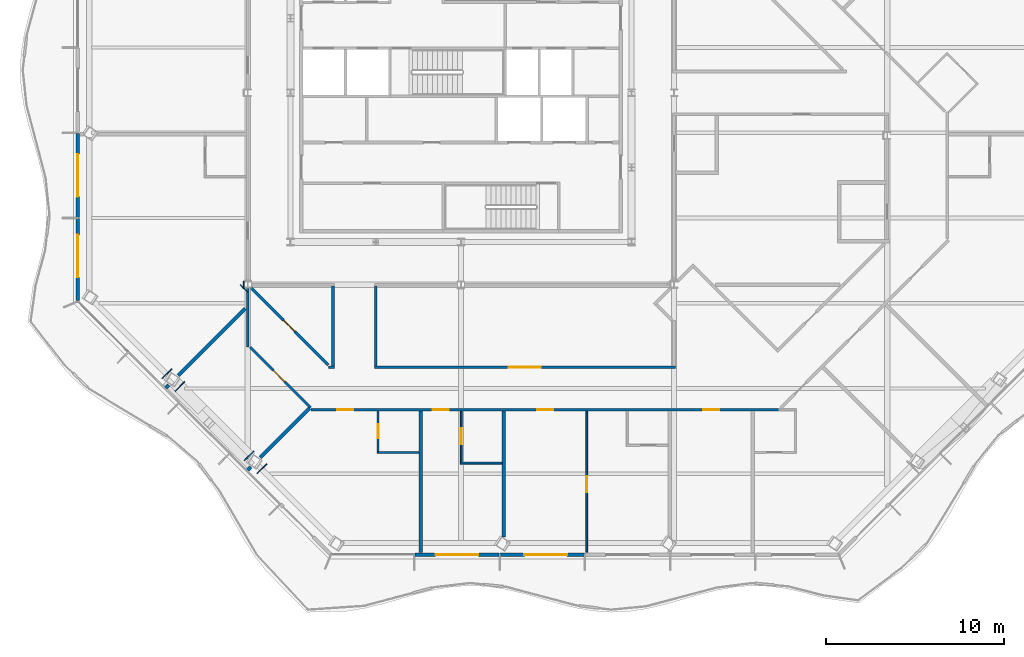
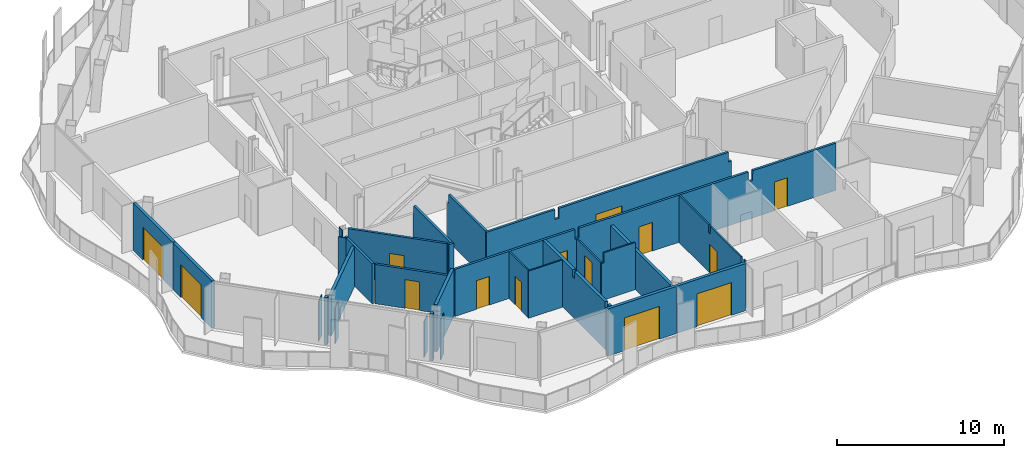
# One storey, part 7 of 19: 29 walls, 14 doors, 14 openings.
"""IFC4 building model written with IfcOpenShell, lengths in metres."""

import ifcopenshell
import ifcopenshell.guid

model = None  # the IFC model being written
_history = None  # IfcOwnerHistory: only IFC2X3 demands one
_inside = {}  # id of a spatial element -> (the spatial element, [elements in it])
_under = {}  # id of a project, library or spatial element -> (it, [spatial elements below it])
_declared = {}  # id of a project -> (the project, [libraries it declares])
_typed = {}  # id of a type object -> (the type object, [elements of that type])
_made_of = {}  # id of a material, layer set ... -> (it, [elements and type objects made of it])


def new_model(schema):
    """Start an empty IFC model of exactly this schema.

    Asked for "IFC4X3", IfcOpenShell would pick the latest addendum, in which some entities
    have other attributes; the version numbers below select the first issue.
    IFC2X3 requires an IfcOwnerHistory on every rooted entity: one is made here for all.
    """
    global model, _history
    if schema == "IFC4X3":
        model = ifcopenshell.file(schema_version=(4, 3, 0, 0))
    else:
        model = ifcopenshell.file(schema=schema)
    _inside.clear()
    _under.clear()
    _declared.clear()
    _typed.clear()
    _made_of.clear()
    _history = None
    if model.schema == "IFC2X3":
        org = make("IfcOrganization", Name="unknown")
        user = make(
            "IfcPersonAndOrganization",
            ThePerson=make("IfcPerson", FamilyName="unknown"),
            TheOrganization=org,
        )
        app = make(
            "IfcApplication",
            ApplicationDeveloper=org,
            Version="unknown",
            ApplicationFullName="unknown",
            ApplicationIdentifier="unknown",
        )
        _history = make(
            "IfcOwnerHistory",
            OwningUser=user,
            OwningApplication=app,
            ChangeAction="ADDED",
            CreationDate=0,
        )
    return model


def make(cls, **values):
    """One entity of the class cls with the attributes given. An attribute that is None is left unset."""
    return model.create_entity(
        cls, **{name: value for name, value in values.items() if value is not None}
    )


def rooted(cls, **values):
    """An entity with a GlobalId (a new one), such as an element, a storey or a relation."""
    return make(cls, GlobalId=ifcopenshell.guid.new(), OwnerHistory=_history, **values)


def si_unit(unit_type, name, prefix=None):
    """IfcSIUnit, for example si_unit("LENGTHUNIT", "METRE", prefix="MILLI")."""
    return make("IfcSIUnit", UnitType=unit_type, Prefix=prefix, Name=name)


def assignment(units):
    """IfcUnitAssignment: the units of a project."""
    return None if units is None else make("IfcUnitAssignment", Units=units)


def point(xyz):
    """IfcCartesianPoint."""
    return None if xyz is None else make("IfcCartesianPoint", Coordinates=xyz)


def direction(xyz):
    """IfcDirection."""
    return None if xyz is None else make("IfcDirection", DirectionRatios=xyz)


def frame(location, z_axis=None, x_axis=None):
    """IfcAxis2Placement3D, a coordinate frame: its origin and axes. An axis left out is left unset."""
    return make(
        "IfcAxis2Placement3D",
        Location=point(location),
        Axis=direction(z_axis),
        RefDirection=direction(x_axis),
    )


def frame_2d(location, x_axis=None):
    """IfcAxis2Placement2D, a coordinate frame in the plane: its origin and x axis."""
    return make(
        "IfcAxis2Placement2D", Location=point(location), RefDirection=direction(x_axis)
    )


def origin():
    """The frame at (0, 0, 0) with its axes left unset."""
    return frame((0.0, 0.0, 0.0))


def place(relative_to, where):
    """IfcLocalPlacement: puts the frame where relative to a parent placement (None: the world)."""
    return make(
        "IfcLocalPlacement", PlacementRelTo=relative_to, RelativePlacement=where
    )


def context(
    kind, dimensions, precision=None, world=None, true_north=None, identifier=None
):
    """IfcGeometricRepresentationContext, for example the 3D "Model" context."""
    return make(
        "IfcGeometricRepresentationContext",
        ContextIdentifier=identifier,
        ContextType=kind,
        CoordinateSpaceDimension=dimensions,
        Precision=precision,
        WorldCoordinateSystem=world,
        TrueNorth=true_north,
    )


def subcontext(parent, identifier, kind, view, scale=None):
    """IfcGeometricRepresentationSubContext, for example "Body" below "Model"."""
    return make(
        "IfcGeometricRepresentationSubContext",
        ContextIdentifier=identifier,
        ContextType=kind,
        ParentContext=parent,
        TargetScale=scale,
        TargetView=view,
    )


def project(units=None, contexts=None):
    """IfcProject with its units and contexts."""
    return rooted(
        "IfcProject",
        Name="project",
        RepresentationContexts=contexts,
        UnitsInContext=assignment(units),
    )


def spatial(cls, under=None, at=None, **own):
    """A site, building, storey or space (cls), placed at a placement, below another one or the project."""
    s = rooted(cls, ObjectPlacement=at, **own)
    if under is not None:
        _under.setdefault(under.id(), (under, []))[1].append(s)
    return s


def polyline(points):
    """IfcPolyline through the points."""
    return make("IfcPolyline", Points=[point(p) for p in points])


def profile(cls, at=None, kind="AREA", **sizes):
    """A parametric profile (cls). Its sizes go by their IFC names, for example OverallWidth=200.0."""
    return make(cls, ProfileType=kind, Position=at, **sizes)


def rectangle(**sizes):
    """IfcRectangleProfileDef."""
    return profile("IfcRectangleProfileDef", **sizes)


def outline(outer, holes=None, kind="AREA"):
    """IfcArbitraryClosedProfileDef: a profile drawn as a closed curve; with holes, ...WithVoids."""
    if holes is None:
        return make("IfcArbitraryClosedProfileDef", ProfileType=kind, OuterCurve=outer)
    return make(
        "IfcArbitraryProfileDefWithVoids",
        ProfileType=kind,
        OuterCurve=outer,
        InnerCurves=holes,
    )


def extrude(swept, where, along, depth):
    """IfcExtrudedAreaSolid: the profile swept, set in the frame where, extruded along a direction by depth."""
    return make(
        "IfcExtrudedAreaSolid",
        SweptArea=swept,
        Position=where,
        ExtrudedDirection=direction(along),
        Depth=depth,
    )


def shape(context_of_items, identifier, shape_type, items):
    """IfcShapeRepresentation: the items that make up one representation, for example the "Body"."""
    return make(
        "IfcShapeRepresentation",
        ContextOfItems=context_of_items,
        RepresentationIdentifier=identifier,
        RepresentationType=shape_type,
        Items=items,
    )


def material(Name=None, Category=None):
    """IfcMaterial."""
    return make("IfcMaterial", Name=Name, Category=Category)


def layer(
    of_material, thickness, ventilated=None, Name=None, Category=None, Priority=None
):
    """IfcMaterialLayer: one layer of a wall or slab, of a material (None: an air gap)."""
    return make(
        "IfcMaterialLayer",
        Material=of_material,
        LayerThickness=thickness,
        IsVentilated=ventilated,
        Name=Name,
        Category=Category,
        Priority=Priority,
    )


def layer_set(layers, Name=None):
    """IfcMaterialLayerSet."""
    return make("IfcMaterialLayerSet", MaterialLayers=layers, LayerSetName=Name)


def made_of(thing, what):
    """Note that an element or type object is made of a material, layer set ...; save() writes the relation."""
    if what is not None:
        _made_of.setdefault(what.id(), (what, []))[1].append(thing)
    return thing


def type_object(cls, material=None, **own):
    """A type object (cls), such as IfcWallType, which elements share."""
    return made_of(rooted(cls, **own), material)


def element(
    cls,
    number,
    at=None,
    inside=None,
    cuts=None,
    type_object=None,
    material=None,
    context=None,
    identifier="Body",
    shape_type=None,
    held_by="IfcProductDefinitionShape",
    body=None,
    shapes=None,
    **own,
):
    """One element of the class cls, such as IfcWall. Its Tag is "e" and its number.

    at: its placement. inside: the storey or other place that contains it. cuts: it is an
    opening in that element (IfcRelVoidsElement). A single representation is given by context,
    identifier, shape_type and body (its items); several are given by shapes. held_by: the class
    of the entity that holds the representations. save() writes the other relations.
    """
    e = rooted(cls, Tag="e%d" % number, ObjectPlacement=at, **own)
    if body is not None:
        shapes = [shape(context, identifier, shape_type, body)]
    if shapes is not None:
        e.Representation = make(held_by, Representations=shapes)
    if inside is not None:
        _inside.setdefault(inside.id(), (inside, []))[1].append(e)
    if cuts is not None:
        rooted(
            "IfcRelVoidsElement", RelatingBuildingElement=cuts, RelatedOpeningElement=e
        )
    if type_object is not None:
        _typed.setdefault(type_object.id(), (type_object, []))[1].append(e)
    return made_of(e, material)


def fill(opening, filler):
    """IfcRelFillsElement: the door or window that sits in an opening."""
    return rooted(
        "IfcRelFillsElement",
        RelatingOpeningElement=opening,
        RelatedBuildingElement=filler,
    )


def aggregate(whole, parts):
    """IfcRelAggregates: a whole, such as a stair, and the parts it consists of."""
    return rooted("IfcRelAggregates", RelatingObject=whole, RelatedObjects=parts)


def save(model, path):
    """Write the relations noted so far, then the file.

    IfcRelAggregates (storeys below a building ...), IfcRelContainedInSpatialStructure (elements
    in a storey), IfcRelDefinesByType, IfcRelAssociatesMaterial and IfcRelDeclares: one each for
    every whole, place, type object, material and project.
    """
    for whole, parts in _under.values():
        aggregate(whole, parts)
    for where, things in _inside.values():
        rooted(
            "IfcRelContainedInSpatialStructure",
            RelatedElements=things,
            RelatingStructure=where,
        )
    for kind, things in _typed.values():
        rooted("IfcRelDefinesByType", RelatedObjects=things, RelatingType=kind)
    for what, things in _made_of.values():
        rooted("IfcRelAssociatesMaterial", RelatedObjects=things, RelatingMaterial=what)
    for by, libraries in _declared.values():
        rooted("IfcRelDeclares", RelatingContext=by, RelatedDefinitions=libraries)
    model.write(path)


model = new_model("IFC4")

# Units and contexts
model_context = context("Model", 3, precision=1e-05, world=origin(), true_north=direction((0.0, 1.0)))
body_context = subcontext(model_context, "Body", "Model", "MODEL_VIEW")
ifc_project = project(units=[si_unit("LENGTHUNIT", "METRE"), si_unit("AREAUNIT", "SQUARE_METRE"), si_unit("VOLUMEUNIT", "CUBIC_METRE"), si_unit("PLANEANGLEUNIT", "RADIAN"), si_unit("MASSUNIT", "GRAM", prefix="KILO")], contexts=[model_context])

# Site, building, storey
site_placement = place(None, origin())
site = spatial("IfcSite", under=ifc_project, at=site_placement, CompositionType="ELEMENT")
building_placement = place(site_placement, origin())
building = spatial("IfcBuilding", under=site, at=building_placement, Name="Cairn Pilgrim Tower", CompositionType="ELEMENT")
storey_placement = place(building_placement, frame((0.0, 0.0, 197.39990234375)))
storey = spatial("IfcBuildingStorey", under=building, at=storey_placement, Name="L50", CompositionType="ELEMENT", Elevation=197.39990234375)

# Wall, opening, door
ifc_material_1 = material(Name="Bronze anodised aluminium insulated sandwich panel with mineral wool fill", Category="aluminium")
ifc_layer_1 = layer(ifc_material_1, 0.199951171875)
ifc_layer_set_1 = layer_set([ifc_layer_1], Name="BRONZE INFILL FRAME WALL 200")
wall_type_1 = type_object("IfcWallType", Name="BRONZE INFILL FRAME WALL 200", PredefinedType="NOTDEFINED", material=ifc_layer_set_1)
wall_1_placement = place(storey_placement, frame((4.60498046875, -23.60009765625, 0.0), z_axis=(0.0, 0.0, 1.0), x_axis=(1.0, 0.0, 0.0)))
wall_1 = element("IfcWall", 1, at=wall_1_placement, inside=storey, type_object=wall_type_1, Name="Bronze infill frame wall IW-S2", PredefinedType="NOTDEFINED", context=body_context, shape_type="SweptSolid", body=[
    extrude(rectangle(XDim=4.739990234375, YDim=0.199951171875, at=frame_2d((2.3701171875, 0.0))), origin(), (0.0, 0.0, 1.0), 3.4501953125),
])
opening_1_placement = place(wall_1_placement, frame((1.169921875, 0.0, 0.0)))
opening_1 = element("IfcOpeningElement", 2, at=opening_1_placement, cuts=wall_1, Name="Opening 5016B", PredefinedType="OPENING", context=body_context, shape_type="SweptSolid", body=[
    extrude(rectangle(XDim=2.39990234375, YDim=2.39990234375, at=frame_2d((1.199951171875, 1.199951171875))), frame((0.0, 0.10986328125, 0.0), z_axis=(0.0, -1.0, 0.0), x_axis=(1.0, 0.0, 0.0)), (0.0, 0.0, 1.0), 0.219970703125),
])
ifc_material_2 = material(Name="Bronze anodised aluminium frame with tinted low-E glass", Category="aluminium")
door_type_1 = type_object("IfcDoorType", Name="BALCONY SLIDING DOOR 2400x2400", OperationType="DOUBLE_DOOR_SLIDING", PredefinedType="DOOR", material=ifc_material_2)
door_1_placement = place(opening_1_placement, origin())
door_1 = element("IfcDoor", 3, at=door_1_placement, inside=storey, type_object=door_type_1, Name="Balcony sliding door 5016B", OperationType="SINGLE_SWING_LEFT", OverallHeight=2.39990234375, OverallWidth=2.39990234375, PredefinedType="DOOR", context=body_context, shape_type="SweptSolid", body=[
    extrude(rectangle(XDim=2.39990234375, YDim=2.39990234375, at=frame_2d((1.199951171875, 1.199951171875))), frame((0.0, 0.02490234375, 0.0), z_axis=(0.0, -1.0, 0.0), x_axis=(1.0, 0.0, 0.0)), (0.0, 0.0, 1.0), 0.050048828125),
])
fill(opening_1, door_1)

wall_2_placement = place(storey_placement, frame((9.405029296875, -23.60009765625, 0.0), z_axis=(0.0, 0.0, 1.0), x_axis=(1.0, 0.0, 0.0)))
wall_2 = element("IfcWall", 4, at=wall_2_placement, inside=storey, type_object=wall_type_1, Name="Bronze infill frame wall IW-S3", PredefinedType="NOTDEFINED", context=body_context, shape_type="SweptSolid", body=[
    extrude(rectangle(XDim=4.739990234375, YDim=0.199951171875, at=frame_2d((2.3701171875, 0.0))), origin(), (0.0, 0.0, 1.0), 3.4501953125),
])
opening_2_placement = place(wall_2_placement, frame((1.369873046875, 0.0, 0.0)))
opening_2 = element("IfcOpeningElement", 5, at=opening_2_placement, cuts=wall_2, Name="Opening 5017B", PredefinedType="OPENING", context=body_context, shape_type="SweptSolid", body=[
    extrude(rectangle(XDim=2.39990234375, YDim=2.39990234375, at=frame_2d((1.199951171875, 1.199951171875))), frame((0.0, 0.10986328125, 0.0), z_axis=(0.0, -1.0, 0.0), x_axis=(1.0, 0.0, 0.0)), (0.0, 0.0, 1.0), 0.219970703125),
])
door_2_placement = place(opening_2_placement, origin())
door_2 = element("IfcDoor", 6, at=door_2_placement, inside=storey, type_object=door_type_1, Name="Balcony sliding door 5017B", OperationType="SINGLE_SWING_LEFT", OverallHeight=2.39990234375, OverallWidth=2.39990234375, PredefinedType="DOOR", context=body_context, shape_type="SweptSolid", body=[
    extrude(rectangle(XDim=2.39990234375, YDim=2.39990234375, at=frame_2d((1.199951171875, 1.199951171875))), frame((0.0, 0.02490234375, 0.0), z_axis=(0.0, -1.0, 0.0), x_axis=(1.0, 0.0, 0.0)), (0.0, 0.0, 1.0), 0.050048828125),
])
fill(opening_2, door_2)

wall_3_placement = place(storey_placement, frame((-14.375, 0.1201171875, 0.0), z_axis=(0.0, 0.0, 1.0), x_axis=(0.0, -1.0, 0.0)))
wall_3 = element("IfcWall", 7, at=wall_3_placement, inside=storey, type_object=wall_type_1, Name="Bronze infill frame wall IW-W3", PredefinedType="NOTDEFINED", context=body_context, shape_type="SweptSolid", body=[
    extrude(rectangle(XDim=4.740234375, YDim=0.199951171875, at=frame_2d((2.3701171875, 0.0))), origin(), (0.0, 0.0, 1.0), 3.4501953125),
])
opening_3_placement = place(wall_3_placement, frame((1.169921875, 0.0, 0.0)))
opening_3 = element("IfcOpeningElement", 8, at=opening_3_placement, cuts=wall_3, Name="Opening 5013B", PredefinedType="OPENING", context=body_context, shape_type="SweptSolid", body=[
    extrude(rectangle(XDim=2.39990234375, YDim=2.39990234375, at=frame_2d((1.199951171875, 1.199951171875))), frame((0.0, 0.10986328125, 0.0), z_axis=(0.0, -1.0, 0.0), x_axis=(1.0, 0.0, 0.0)), (0.0, 0.0, 1.0), 0.219970703125),
])
door_3_placement = place(opening_3_placement, origin())
door_3 = element("IfcDoor", 9, at=door_3_placement, inside=storey, type_object=door_type_1, Name="Balcony sliding door 5013B", OperationType="SINGLE_SWING_LEFT", OverallHeight=2.39990234375, OverallWidth=2.39990234375, PredefinedType="DOOR", context=body_context, shape_type="SweptSolid", body=[
    extrude(rectangle(XDim=2.39990234375, YDim=2.39990234375, at=frame_2d((1.199951171875, 1.199951171875))), frame((0.0, 0.02490234375, 0.0), z_axis=(0.0, -1.0, 0.0), x_axis=(1.0, 0.0, 0.0)), (0.0, 0.0, 1.0), 0.050048828125),
])
fill(opening_3, door_3)

wall_4_placement = place(storey_placement, frame((-14.375, -4.679931640625, 0.0), z_axis=(0.0, 0.0, 1.0), x_axis=(0.0, -1.0, 0.0)))
wall_4 = element("IfcWall", 10, at=wall_4_placement, inside=storey, type_object=wall_type_1, Name="Bronze infill frame wall IW-W4", PredefinedType="NOTDEFINED", context=body_context, shape_type="SweptSolid", body=[
    extrude(rectangle(XDim=4.62646484375, YDim=0.199951171875, at=frame_2d((2.313232421875, 0.0))), origin(), (0.0, 0.0, 1.0), 3.4501953125),
])
opening_4_placement = place(wall_4_placement, frame((0.91796875, 0.0, 0.0)))
opening_4 = element("IfcOpeningElement", 11, at=opening_4_placement, cuts=wall_4, Name="Opening 5013B2", PredefinedType="OPENING", context=body_context, shape_type="SweptSolid", body=[
    extrude(rectangle(XDim=2.39990234375, YDim=2.39990234375, at=frame_2d((1.199951171875, 1.199951171875))), frame((0.0, 0.10986328125, 0.0), z_axis=(0.0, -1.0, 0.0), x_axis=(1.0, 0.0, 0.0)), (0.0, 0.0, 1.0), 0.219970703125),
])
door_4_placement = place(opening_4_placement, origin())
door_4 = element("IfcDoor", 12, at=door_4_placement, inside=storey, type_object=door_type_1, Name="Balcony sliding door 5013B2", OperationType="SINGLE_SWING_LEFT", OverallHeight=2.39990234375, OverallWidth=2.39990234375, PredefinedType="DOOR", context=body_context, shape_type="SweptSolid", body=[
    extrude(rectangle(XDim=2.39990234375, YDim=2.39990234375, at=frame_2d((1.199951171875, 1.199951171875))), frame((0.0, 0.02490234375, 0.0), z_axis=(0.0, -1.0, 0.0), x_axis=(1.0, 0.0, 0.0)), (0.0, 0.0, 1.0), 0.050048828125),
])
fill(opening_4, door_4)

ifc_material_3 = material(Name="Gypsum partition")
ifc_layer_2 = layer(ifc_material_3, 0.10009765625)
ifc_layer_set_2 = layer_set([ifc_layer_2], Name="PARTITION 100 DRYWALL")
wall_type_2 = type_object("IfcWallType", Name="PARTITION 100 DRYWALL", PredefinedType="PARTITIONING", material=ifc_layer_set_2)
wall_5_placement = place(storey_placement, frame((14.2880859375, -23.469970703125, 0.0), z_axis=(0.0, 0.0, 1.0), x_axis=(0.0, 1.0, 0.0)))
wall_5 = element("IfcWall", 13, at=wall_5_placement, inside=storey, type_object=wall_type_2, Name="PARTITION W002", PredefinedType="PARTITIONING", context=body_context, shape_type="SweptSolid", body=[
    extrude(outline(polyline([(0.0, 0.0), (7.945068359375, 0.0), (7.945068359375, 3.4501953125), (4.375, 3.4501953125), (4.373046875, 2.880126953125), (4.1650390625, 2.880126953125), (4.1630859375, 3.4501953125), (0.52001953125, 3.4501953125), (0.51806640625, 2.93017578125), (0.219970703125, 2.93017578125), (0.218017578125, 3.4501953125), (0.0, 3.4501953125), (0.0, 0.0)])), frame((0.0, 0.050048828125, 0.0), z_axis=(0.0, -1.0, 0.0), x_axis=(1.0, 0.0, 0.0)), (0.0, 0.0, 1.0), 0.10009765625),
])
opening_5_placement = place(wall_5_placement, frame((3.3701171875, 0.0, 0.0)))
opening_5 = element("IfcOpeningElement", 14, at=opening_5_placement, cuts=wall_5, Name="Opening 5017C", PredefinedType="OPENING", context=body_context, shape_type="SweptSolid", body=[
    extrude(rectangle(XDim=0.89990234375, YDim=2.10009765625, at=frame_2d((0.449951171875, 1.050048828125))), frame((0.0, 0.06005859375, 0.0), z_axis=(0.0, -1.0, 0.0), x_axis=(1.0, 0.0, 0.0)), (0.0, 0.0, 1.0), 0.1201171875),
])
ifc_material_4 = material(Name="Timber door leaf", Category="wood")
door_type_2 = type_object("IfcDoorType", Name="SERVICE DOOR 900x2100", OperationType="NOTDEFINED", PredefinedType="DOOR", material=ifc_material_4)
door_5_placement = place(opening_5_placement, origin())
door_5 = element("IfcDoor", 15, at=door_5_placement, inside=storey, type_object=door_type_2, Name="DOOR 5017C", OperationType="SINGLE_SWING_RIGHT", OverallHeight=2.10009765625, OverallWidth=0.89990234375, PredefinedType="DOOR", context=body_context, shape_type="SweptSolid", body=[
    extrude(rectangle(XDim=0.89990234375, YDim=2.10009765625, at=frame_2d((0.449951171875, 1.050048828125))), frame((0.0, 0.02490234375, 0.0), z_axis=(0.0, -1.0, 0.0), x_axis=(1.0, 0.0, 0.0)), (0.0, 0.0, 1.0), 0.050048828125),
])
fill(opening_5, door_5)

# Wall
wall_6_placement = place(storey_placement, frame((7.162109375, -18.449951171875, 0.0), z_axis=(0.0, 0.0, 1.0), x_axis=(1.0, 0.0, 0.0)))
element("IfcWall", 16, at=wall_6_placement, inside=storey, type_object=wall_type_2, Name="PARTITION W008", PredefinedType="PARTITIONING", context=body_context, shape_type="SweptSolid", body=[
    extrude(outline(polyline([(0.0, 0.0), (2.349853515625, 0.0), (2.35009765625, 3.4501953125), (0.18798828125, 3.4501953125), (0.18603515625, 2.72998046875), (0.0, 2.72998046875), (0.0, 0.0)])), frame((0.0, 0.050048828125, 0.0), z_axis=(0.0, -1.0, 0.0), x_axis=(1.0, 0.0, 0.0)), (0.0, 0.0, 1.0), 0.10009765625),
])

# Wall, opening, door
wall_7_placement = place(storey_placement, frame((7.2119140625, -18.39990234375, 0.0), z_axis=(0.0, 0.0, 1.0), x_axis=(0.0, 1.0, 0.0)))
wall_7 = element("IfcWall", 17, at=wall_7_placement, inside=storey, type_object=wall_type_2, Name="PARTITION W009", PredefinedType="PARTITIONING", context=body_context, shape_type="SweptSolid", body=[
    extrude(rectangle(XDim=2.875, YDim=0.10009765625, at=frame_2d((1.4375, 0.0))), origin(), (0.0, 0.0, 1.0), 2.72998046875),
])
opening_6_placement = place(wall_7_placement, frame((1.0, 0.0, 0.0)))
opening_6 = element("IfcOpeningElement", 18, at=opening_6_placement, cuts=wall_7, Name="Opening 5016A", PredefinedType="OPENING", context=body_context, shape_type="SweptSolid", body=[
    extrude(rectangle(XDim=0.89990234375, YDim=2.10009765625, at=frame_2d((0.449951171875, 1.050048828125))), frame((0.0, 0.06005859375, 0.0), z_axis=(0.0, -1.0, 0.0), x_axis=(1.0, 0.0, 0.0)), (0.0, 0.0, 1.0), 0.1201171875),
])
door_type_3 = type_object("IfcDoorType", Name="WC DOOR 900x2100", OperationType="NOTDEFINED", PredefinedType="DOOR", material=ifc_material_4)
door_6_placement = place(opening_6_placement, origin())
door_6 = element("IfcDoor", 19, at=door_6_placement, inside=storey, type_object=door_type_3, Name="DOOR 5016A", OperationType="SINGLE_SWING_RIGHT", OverallHeight=2.10009765625, OverallWidth=0.89990234375, PredefinedType="DOOR", context=body_context, shape_type="SweptSolid", body=[
    extrude(rectangle(XDim=0.89990234375, YDim=2.10009765625, at=frame_2d((0.449951171875, 1.050048828125))), frame((0.0, 0.02490234375, 0.0), z_axis=(0.0, -1.0, 0.0), x_axis=(1.0, 0.0, 0.0)), (0.0, 0.0, 1.0), 0.050048828125),
])
fill(opening_6, door_6)

# Wall
wall_8_placement = place(storey_placement, frame((2.486083984375, -17.85009765625, 0.0), z_axis=(0.0, 0.0, 1.0), x_axis=(1.0, 0.0, 0.0)))
element("IfcWall", 20, at=wall_8_placement, inside=storey, type_object=wall_type_2, Name="PARTITION W012", PredefinedType="PARTITIONING", context=body_context, shape_type="SweptSolid", body=[
    extrude(rectangle(XDim=2.349853515625, YDim=0.10009765625, at=frame_2d((1.1748046875, 0.0))), origin(), (0.0, 0.0, 1.0), 3.4501953125),
])

# Wall, opening, door
wall_9_placement = place(storey_placement, frame((2.535888671875, -17.800048828125, 0.0), z_axis=(0.0, 0.0, 1.0), x_axis=(0.0, 1.0, 0.0)))
wall_9 = element("IfcWall", 21, at=wall_9_placement, inside=storey, type_object=wall_type_2, Name="PARTITION W014", PredefinedType="PARTITIONING", context=body_context, shape_type="SweptSolid", body=[
    extrude(rectangle(XDim=2.275146484375, YDim=0.10009765625, at=frame_2d((1.1376953125, 0.0))), origin(), (0.0, 0.0, 1.0), 3.4501953125),
])
opening_7_placement = place(wall_9_placement, frame((0.75, 0.0, 0.0)))
opening_7 = element("IfcOpeningElement", 22, at=opening_7_placement, cuts=wall_9, Name="Opening 5015A", PredefinedType="OPENING", context=body_context, shape_type="SweptSolid", body=[
    extrude(rectangle(XDim=0.800048828125, YDim=2.10009765625, at=frame_2d((0.39990234375, 1.050048828125))), frame((0.0, 0.06005859375, 0.0), z_axis=(0.0, -1.0, 0.0), x_axis=(1.0, 0.0, 0.0)), (0.0, 0.0, 1.0), 0.1201171875),
])
door_type_4 = type_object("IfcDoorType", Name="WC DOOR 800x2100", OperationType="NOTDEFINED", PredefinedType="DOOR", material=ifc_material_4)
door_7_placement = place(opening_7_placement, origin())
door_7 = element("IfcDoor", 23, at=door_7_placement, inside=storey, type_object=door_type_4, Name="DOOR 5015A", OperationType="SINGLE_SWING_RIGHT", OverallHeight=2.10009765625, OverallWidth=0.800048828125, PredefinedType="DOOR", context=body_context, shape_type="SweptSolid", body=[
    extrude(rectangle(XDim=0.800048828125, YDim=2.10009765625, at=frame_2d((0.39990234375, 1.050048828125))), frame((0.0, 0.02490234375, 0.0), z_axis=(0.0, -1.0, 0.0), x_axis=(1.0, 0.0, 0.0)), (0.0, 0.0, 1.0), 0.050048828125),
])
fill(opening_7, door_7)

# Wall, openings, doors
ifc_layer_3 = layer(ifc_material_3, 0.14990234375)
ifc_layer_set_3 = layer_set([ifc_layer_3], Name="PARTITION 150 DRYWALL EI 60")
wall_type_3 = type_object("IfcWallType", Name="PARTITION 150 DRYWALL EI 60", PredefinedType="PARTITIONING", material=ifc_layer_set_3)
wall_10_placement = place(storey_placement, frame((-1.25, -15.449951171875, 0.0), z_axis=(0.0, 0.0, 1.0), x_axis=(1.0, 0.0, 0.0)))
wall_10 = element("IfcWall", 24, at=wall_10_placement, inside=storey, type_object=wall_type_3, Name="PARTITION W018", PredefinedType="PARTITIONING", context=body_context, shape_type="SweptSolid", body=[
    extrude(outline(polyline([(0.0, 0.0), (26.345947265625, 0.0), (26.34619140625, 3.4501953125), (20.60009765625, 3.4501953125), (20.59814453125, 2.72998046875), (20.300048828125, 2.72998046875), (20.298095703125, 3.4501953125), (8.60009765625, 3.4501953125), (8.59814453125, 2.72998046875), (8.300048828125, 2.72998046875), (8.298095703125, 3.4501953125), (0.0, 3.4501953125), (0.0, 0.0)])), frame((0.0, 0.074951171875, 0.0), z_axis=(0.0, -1.0, 0.0), x_axis=(1.0, 0.0, 0.0)), (0.0, 0.0, 1.0), 0.14990234375),
])
opening_8_placement = place(wall_10_placement, frame((22.10107421875, 0.0, 0.0)))
opening_8 = element("IfcOpeningElement", 25, at=opening_8_placement, cuts=wall_10, Name="Opening 5001", PredefinedType="OPENING", context=body_context, shape_type="SweptSolid", body=[
    extrude(rectangle(XDim=0.89990234375, YDim=2.10009765625, at=frame_2d((0.449951171875, 1.050048828125))), frame((0.0, 0.0849609375, 0.0), z_axis=(0.0, -1.0, 0.0), x_axis=(1.0, 0.0, 0.0)), (0.0, 0.0, 1.0), 0.169921875),
])
opening_9_placement = place(wall_10_placement, frame((1.49609375, 0.0, 0.0)))
opening_9 = element("IfcOpeningElement", 26, at=opening_9_placement, cuts=wall_10, Name="Opening 5015", PredefinedType="OPENING", context=body_context, shape_type="SweptSolid", body=[
    extrude(rectangle(XDim=0.89990234375, YDim=2.10009765625, at=frame_2d((0.449951171875, 1.050048828125))), frame((0.0, 0.0849609375, 0.0), z_axis=(0.0, -1.0, 0.0), x_axis=(1.0, 0.0, 0.0)), (0.0, 0.0, 1.0), 0.169921875),
])
opening_10_placement = place(wall_10_placement, frame((6.8740234375, 0.0, 0.0)))
opening_10 = element("IfcOpeningElement", 27, at=opening_10_placement, cuts=wall_10, Name="Opening 5016", PredefinedType="OPENING", context=body_context, shape_type="SweptSolid", body=[
    extrude(rectangle(XDim=0.89990234375, YDim=2.10009765625, at=frame_2d((0.449951171875, 1.050048828125))), frame((0.0, 0.0849609375, 0.0), z_axis=(0.0, -1.0, 0.0), x_axis=(1.0, 0.0, 0.0)), (0.0, 0.0, 1.0), 0.169921875),
])
opening_11_placement = place(wall_10_placement, frame((12.75, 0.0, 0.0)))
opening_11 = element("IfcOpeningElement", 28, at=opening_11_placement, cuts=wall_10, Name="Opening 5017", PredefinedType="OPENING", context=body_context, shape_type="SweptSolid", body=[
    extrude(rectangle(XDim=0.89990234375, YDim=2.10009765625, at=frame_2d((0.449951171875, 1.050048828125))), frame((0.0, 0.0849609375, 0.0), z_axis=(0.0, -1.0, 0.0), x_axis=(1.0, 0.0, 0.0)), (0.0, 0.0, 1.0), 0.169921875),
])
door_type_5 = type_object("IfcDoorType", Name="ROOM DOOR 900x2100 FD30S", OperationType="NOTDEFINED", PredefinedType="DOOR", material=ifc_material_4)
door_8_placement = place(opening_9_placement, frame((0.89990234375, 0.0, 0.0), z_axis=(0.0, 0.0, 1.0), x_axis=(-1.0, 0.0, 0.0)))
door_8 = element("IfcDoor", 29, at=door_8_placement, inside=storey, type_object=door_type_5, Name="DOOR 5015", OperationType="SINGLE_SWING_RIGHT", OverallHeight=2.10009765625, OverallWidth=0.89990234375, PredefinedType="DOOR", context=body_context, shape_type="SweptSolid", body=[
    extrude(rectangle(XDim=0.89990234375, YDim=2.10009765625, at=frame_2d((0.449951171875, 1.050048828125))), frame((0.0, 0.02490234375, 0.0), z_axis=(0.0, -1.0, 0.0), x_axis=(1.0, 0.0, 0.0)), (0.0, 0.0, 1.0), 0.050048828125),
])
fill(opening_9, door_8)
door_9_placement = place(opening_10_placement, frame((0.89990234375, 0.0, 0.0), z_axis=(0.0, 0.0, 1.0), x_axis=(-1.0, 0.0, 0.0)))
door_9 = element("IfcDoor", 30, at=door_9_placement, inside=storey, type_object=door_type_5, Name="DOOR 5016", OperationType="SINGLE_SWING_RIGHT", OverallHeight=2.10009765625, OverallWidth=0.89990234375, PredefinedType="DOOR", context=body_context, shape_type="SweptSolid", body=[
    extrude(rectangle(XDim=0.89990234375, YDim=2.10009765625, at=frame_2d((0.449951171875, 1.050048828125))), frame((0.0, 0.02490234375, 0.0), z_axis=(0.0, -1.0, 0.0), x_axis=(1.0, 0.0, 0.0)), (0.0, 0.0, 1.0), 0.050048828125),
])
fill(opening_10, door_9)
door_10_placement = place(opening_11_placement, frame((0.89990234375, 0.0, 0.0), z_axis=(0.0, 0.0, 1.0), x_axis=(-1.0, 0.0, 0.0)))
door_10 = element("IfcDoor", 31, at=door_10_placement, inside=storey, type_object=door_type_5, Name="DOOR 5017", OperationType="SINGLE_SWING_RIGHT", OverallHeight=2.10009765625, OverallWidth=0.89990234375, PredefinedType="DOOR", context=body_context, shape_type="SweptSolid", body=[
    extrude(rectangle(XDim=0.89990234375, YDim=2.10009765625, at=frame_2d((0.449951171875, 1.050048828125))), frame((0.0, 0.02490234375, 0.0), z_axis=(0.0, -1.0, 0.0), x_axis=(1.0, 0.0, 0.0)), (0.0, 0.0, 1.0), 0.050048828125),
])
fill(opening_11, door_10)
door_type_6 = type_object("IfcDoorType", Name="SERVICE DOOR 900x2100 FD30S", OperationType="NOTDEFINED", PredefinedType="DOOR", material=ifc_material_4)
door_11_placement = place(opening_8_placement, frame((0.89990234375, 0.0, 0.0), z_axis=(0.0, 0.0, 1.0), x_axis=(-1.0, 0.0, 0.0)))
door_11 = element("IfcDoor", 32, at=door_11_placement, inside=storey, type_object=door_type_6, Name="DOOR 5001", OperationType="SINGLE_SWING_LEFT", OverallHeight=2.10009765625, OverallWidth=0.89990234375, PredefinedType="DOOR", context=body_context, shape_type="SweptSolid", body=[
    extrude(rectangle(XDim=0.89990234375, YDim=2.10009765625, at=frame_2d((0.449951171875, 1.050048828125))), frame((0.0, 0.02490234375, 0.0), z_axis=(0.0, -1.0, 0.0), x_axis=(1.0, 0.0, 0.0)), (0.0, 0.0, 1.0), 0.050048828125),
])
fill(opening_8, door_11)

# Wall, opening, door
wall_11_placement = place(storey_placement, frame((-1.27197265625, -15.322021484375, 0.0), z_axis=(0.0, 0.0, 1.0), x_axis=(-0.707106781187, 0.707106781187, 0.0)))
wall_11 = element("IfcWall", 33, at=wall_11_placement, inside=storey, type_object=wall_type_3, Name="PARTITION W020", PredefinedType="PARTITIONING", context=body_context, shape_type="SweptSolid", body=[
    extrude(rectangle(XDim=4.80810546875, YDim=0.14990234375, at=frame_2d((2.404052734375, 0.0))), origin(), (0.0, 0.0, 1.0), 2.880126953125),
])
opening_12_placement = place(wall_11_placement, frame((2.0498046875, 0.0, 0.0)))
opening_12 = element("IfcOpeningElement", 34, at=opening_12_placement, cuts=wall_11, Name="Opening 5014", PredefinedType="OPENING", context=body_context, shape_type="SweptSolid", body=[
    extrude(rectangle(XDim=0.89990234375, YDim=2.10009765625, at=frame_2d((0.449951171875, 1.050048828125))), frame((0.0, 0.0849609375, 0.0), z_axis=(0.0, -1.0, 0.0), x_axis=(1.0, 0.0, 0.0)), (0.0, 0.0, 1.0), 0.169921875),
])
door_12_placement = place(opening_12_placement, origin())
door_12 = element("IfcDoor", 35, at=door_12_placement, inside=storey, type_object=door_type_6, Name="DOOR 5014", OperationType="SINGLE_SWING_RIGHT", OverallHeight=2.10009765625, OverallWidth=0.89990234375, PredefinedType="DOOR", context=body_context, shape_type="SweptSolid", body=[
    extrude(rectangle(XDim=0.89990234375, YDim=2.10009765625, at=frame_2d((0.449951171875, 1.050048828125))), frame((0.0, 0.02490234375, 0.0), z_axis=(0.0, -1.0, 0.0), x_axis=(1.0, 0.0, 0.0)), (0.0, 0.0, 1.0), 0.050048828125),
])
fill(opening_12, door_12)

# Wall
wall_12_placement = place(storey_placement, frame((-0.256103515625, -13.050048828125, 0.0), z_axis=(0.0, 0.0, 1.0), x_axis=(1.0, 0.0, 0.0)))
element("IfcWall", 36, at=wall_12_placement, inside=storey, type_object=wall_type_3, Name="PARTITION W025", PredefinedType="PARTITIONING", context=body_context, shape_type="SweptSolid", body=[
    extrude(rectangle(XDim=0.3310546875, YDim=0.14990234375, at=frame_2d((0.16552734375, 0.0))), origin(), (0.0, 0.0, 1.0), 3.4501953125),
])

# Wall, opening, door
wall_13_placement = place(storey_placement, frame((2.324951171875, -13.050048828125, 0.0), z_axis=(0.0, 0.0, 1.0), x_axis=(1.0, 0.0, 0.0)))
wall_13 = element("IfcWall", 37, at=wall_13_placement, inside=storey, type_object=wall_type_3, Name="PARTITION W026", PredefinedType="PARTITIONING", context=body_context, shape_type="SweptSolid", body=[
    extrude(outline(polyline([(0.0, 0.0), (16.949951171875, 0.0), (16.949951171875, 2.72998046875), (16.72509765625, 2.72998046875), (16.722900390625, 3.4501953125), (5.02490234375, 3.4501953125), (5.02294921875, 2.72998046875), (4.72509765625, 2.72998046875), (4.722900390625, 3.4501953125), (0.0, 3.4501953125), (0.0, 0.0)])), frame((0.0, 0.074951171875, 0.0), z_axis=(0.0, -1.0, 0.0), x_axis=(1.0, 0.0, 0.0)), (0.0, 0.0, 1.0), 0.14990234375),
])
opening_13_placement = place(wall_13_placement, frame((7.574951171875, 0.0, 0.0)))
opening_13 = element("IfcOpeningElement", 38, at=opening_13_placement, cuts=wall_13, Name="Opening 5024", PredefinedType="OPENING", context=body_context, shape_type="SweptSolid", body=[
    extrude(rectangle(XDim=1.800048828125, YDim=2.10009765625, at=frame_2d((0.89990234375, 1.050048828125))), frame((0.0, 0.0849609375, 0.0), z_axis=(0.0, -1.0, 0.0), x_axis=(1.0, 0.0, 0.0)), (0.0, 0.0, 1.0), 0.169921875),
])
door_type_7 = type_object("IfcDoorType", Name="DOOR PAIR 1800x2100 FD60S", OperationType="NOTDEFINED", PredefinedType="DOOR", material=ifc_material_4)
door_13_placement = place(opening_13_placement, origin())
door_13 = element("IfcDoor", 39, at=door_13_placement, inside=storey, type_object=door_type_7, Name="DOOR 5024", OperationType="DOUBLE_DOOR_SINGLE_SWING", OverallHeight=2.10009765625, OverallWidth=1.800048828125, PredefinedType="DOOR", context=body_context, shape_type="SweptSolid", body=[
    extrude(rectangle(XDim=1.800048828125, YDim=2.10009765625, at=frame_2d((0.89990234375, 1.050048828125))), frame((0.0, 0.02490234375, 0.0), z_axis=(0.0, -1.0, 0.0), x_axis=(1.0, 0.0, 0.0)), (0.0, 0.0, 1.0), 0.050048828125),
])
fill(opening_13, door_13)

# Walls
for number, where, z_axis, x_axis, name in (
    (40, (0.0, -12.97509765625, 0.0), (0.0, 0.0, 1.0), (0.0, 1.0, 0.0), "PARTITION W027"),
    (41, (2.39990234375, -12.97509765625, 0.0), (0.0, 0.0, 1.0), (0.0, 1.0, 0.0), "PARTITION W028"),
):
    element("IfcWall", number, at=place(storey_placement, frame(where, z_axis=z_axis, x_axis=x_axis)), inside=storey, type_object=wall_type_3, Name=name, PredefinedType="PARTITIONING", context=body_context, shape_type="SweptSolid", body=[
        extrude(outline(polyline([(0.0, 0.0), (4.5, 0.0), (4.5, 2.830078125), (4.425048828125, 2.830078125), (4.423095703125, 3.4501953125), (0.0, 3.4501953125), (0.0, 0.0)])), frame((0.0, 0.074951171875, 0.0), z_axis=(0.0, -1.0, 0.0), x_axis=(1.0, 0.0, 0.0)), (0.0, 0.0, 1.0), 0.14990234375),
    ])

# Wall, opening, door
wall_14_placement = place(storey_placement, frame((-0.278076171875, -12.922119140625, 0.0), z_axis=(0.0, 0.0, 1.0), x_axis=(-0.707086819106, 0.707126742703, 0.0)))
wall_14 = element("IfcWall", 42, at=wall_14_placement, inside=storey, type_object=wall_type_3, Name="PARTITION W030", PredefinedType="PARTITIONING", context=body_context, shape_type="SweptSolid", body=[
    extrude(rectangle(XDim=6.115234375, YDim=0.14990234375, at=frame_2d((3.0576171875, 0.0))), origin(), (0.0, 0.0, 1.0), 3.4501953125),
])
opening_14_placement = place(wall_14_placement, frame((2.656982421875, 0.0, 0.0)))
opening_14 = element("IfcOpeningElement", 43, at=opening_14_placement, cuts=wall_14, Name="Opening 5023", PredefinedType="OPENING", context=body_context, shape_type="SweptSolid", body=[
    extrude(rectangle(XDim=0.89990234375, YDim=2.10009765625, at=frame_2d((0.449951171875, 1.050048828125))), frame((0.0, 0.0849609375, 0.0), z_axis=(0.0, -1.0, 0.0), x_axis=(1.0, 0.0, 0.0)), (0.0, 0.0, 1.0), 0.169921875),
])
door_14_placement = place(opening_14_placement, frame((0.89990234375, 0.0, 0.0), z_axis=(0.0, 0.0, 1.0), x_axis=(-1.0, 0.0, 0.0)))
door_14 = element("IfcDoor", 44, at=door_14_placement, inside=storey, type_object=door_type_6, Name="DOOR 5023", OperationType="SINGLE_SWING_LEFT", OverallHeight=2.10009765625, OverallWidth=0.89990234375, PredefinedType="DOOR", context=body_context, shape_type="SweptSolid", body=[
    extrude(rectangle(XDim=0.89990234375, YDim=2.10009765625, at=frame_2d((0.449951171875, 1.050048828125))), frame((0.0, 0.02490234375, 0.0), z_axis=(0.0, -1.0, 0.0), x_axis=(1.0, 0.0, 0.0)), (0.0, 0.0, 1.0), 0.050048828125),
])
fill(opening_14, door_14)

# Walls
wall_15_placement = place(storey_placement, frame((-4.800048828125, -11.900146484375, 0.0), z_axis=(0.0, 0.0, 1.0), x_axis=(0.0, 1.0, 0.0)))
element("IfcWall", 45, at=wall_15_placement, inside=storey, type_object=wall_type_3, Name="PARTITION W033", PredefinedType="PARTITIONING", context=body_context, shape_type="SweptSolid", body=[
    extrude(rectangle(XDim=3.3037109375, YDim=0.14990234375, at=frame_2d((1.65185546875, 0.0))), origin(), (0.0, 0.0, 1.0), 2.93017578125),
])
ifc_layer_4 = layer(ifc_material_3, 0.050048828125)
ifc_layer_set_4 = layer_set([ifc_layer_4], Name="PARTITION 50 DRYWALL EI 60")
wall_type_4 = type_object("IfcWallType", Name="PARTITION 50 DRYWALL EI 60", PredefinedType="PARTITIONING", material=ifc_layer_set_4)
wall_16_placement = place(storey_placement, frame((-4.994140625, -18.3076171875, 0.0), z_axis=(0.0, 0.0, 1.0), x_axis=(0.707106781187, 0.707106781187, 0.0)))
element("IfcWall", 46, at=wall_16_placement, inside=storey, type_object=wall_type_4, Name="COLUMN CASING WC01", PredefinedType="PARTITIONING", context=body_context, shape_type="SweptSolid", body=[
    extrude(rectangle(XDim=0.75927734375, YDim=0.050048828125, at=frame_2d((0.379638671875, 0.0))), origin(), (0.0, 0.0, 1.0), 2.630126953125),
])
wall_17_placement = place(storey_placement, frame((-4.270751953125, -19.03076171875, 0.0), z_axis=(0.0, 0.0, 1.0), x_axis=(0.707106781187, 0.707106781187, 0.0)))
element("IfcWall", 47, at=wall_17_placement, inside=storey, type_object=wall_type_4, Name="COLUMN CASING WC02", PredefinedType="PARTITIONING", context=body_context, shape_type="SweptSolid", body=[
    extrude(rectangle(XDim=0.75927734375, YDim=0.050048828125, at=frame_2d((0.379638671875, 0.0))), origin(), (0.0, 0.0, 1.0), 2.93017578125),
])
wall_18_placement = place(storey_placement, frame((-9.618408203125, -13.683349609375, 0.0), z_axis=(0.0, 0.0, 1.0), x_axis=(0.707267505531, 0.706946020301, 0.0)))
element("IfcWall", 48, at=wall_18_placement, inside=storey, type_object=wall_type_4, Name="COLUMN CASING WC04", PredefinedType="PARTITIONING", context=body_context, shape_type="SweptSolid", body=[
    extrude(rectangle(XDim=0.759521484375, YDim=0.050048828125, at=frame_2d((0.3798828125, 0.0))), origin(), (0.0, 0.0, 1.0), 2.93017578125),
])
wall_19_placement = place(storey_placement, frame((-8.89501953125, -14.406494140625, 0.0), z_axis=(0.0, 0.0, 1.0), x_axis=(0.707106781187, 0.707106781187, 0.0)))
element("IfcWall", 49, at=wall_19_placement, inside=storey, type_object=wall_type_4, Name="COLUMN CASING WC05", PredefinedType="PARTITIONING", context=body_context, shape_type="SweptSolid", body=[
    extrude(rectangle(XDim=0.75927734375, YDim=0.050048828125, at=frame_2d((0.379638671875, 0.0))), origin(), (0.0, 0.0, 1.0), 2.630126953125),
])
wall_20_placement = place(storey_placement, frame((-4.817626953125, -8.813720703125, 0.0), z_axis=(0.0, 0.0, 1.0), x_axis=(-0.707106781187, 0.707106781187, 0.0)))
element("IfcWall", 50, at=wall_20_placement, inside=storey, type_object=wall_type_4, Name="COLUMN CASING WC06", PredefinedType="PARTITIONING", context=body_context, shape_type="SweptSolid", body=[
    extrude(rectangle(XDim=0.56005859375, YDim=0.050048828125, at=frame_2d((0.280029296875, 0.0))), origin(), (0.0, 0.0, 1.0), 2.93017578125),
])
wall_21_placement = place(storey_placement, frame((-5.0244140625, -8.596435546875, 0.0), z_axis=(0.0, 0.0, 1.0), x_axis=(0.0, 1.0, 0.0)))
element("IfcWall", 51, at=wall_21_placement, inside=storey, type_object=wall_type_4, Name="COLUMN CASING WC07", PredefinedType="PARTITIONING", context=body_context, shape_type="SweptSolid", body=[
    extrude(rectangle(XDim=0.392822265625, YDim=0.050048828125, at=frame_2d((0.1962890625, 0.0))), origin(), (0.0, 0.0, 1.0), 3.4501953125),
])
ifc_layer_5 = layer(ifc_material_3, 0.199951171875)
ifc_layer_set_5 = layer_set([ifc_layer_5], Name="SHAFT WALL 200 GYPSUM EI 60")
wall_type_5 = type_object("IfcWallType", Name="SHAFT WALL 200 GYPSUM EI 60", PredefinedType="PARTITIONING", material=ifc_layer_set_5)
wall_22_placement = place(storey_placement, frame((4.93603515625, -23.469970703125, 0.0), z_axis=(0.0, 0.0, 1.0), x_axis=(0.0, 1.0, 0.0)))
element("IfcWall", 52, at=wall_22_placement, inside=storey, type_object=wall_type_5, Name="PARTITION W001", PredefinedType="PARTITIONING", context=body_context, shape_type="SweptSolid", body=[
    extrude(outline(polyline([(0.0, 0.0), (7.945068359375, 0.0), (7.945068359375, 3.4501953125), (4.3701171875, 3.4501953125), (4.367919921875, 2.93017578125), (4.169921875, 2.93017578125), (4.16796875, 3.4501953125), (0.52001953125, 3.4501953125), (0.51806640625, 2.93017578125), (0.219970703125, 2.93017578125), (0.218017578125, 3.4501953125), (0.0, 3.4501953125), (0.0, 0.0)])), frame((0.0, 0.10009765625, 0.0), z_axis=(0.0, -1.0, 0.0), x_axis=(1.0, 0.0, 0.0)), (0.0, 0.0, 1.0), 0.199951171875),
])
wall_23_placement = place(storey_placement, frame((9.612060546875, -22.68359375, 0.0), z_axis=(0.0, 0.0, 1.0), x_axis=(0.0, 1.0, 0.0)))
element("IfcWall", 53, at=wall_23_placement, inside=storey, type_object=wall_type_5, Name="PARTITION W005", PredefinedType="PARTITIONING", context=body_context, shape_type="SweptSolid", body=[
    extrude(outline(polyline([(0.085693359375, 0.0), (7.158447265625, 0.0), (7.158447265625, 0.862548828125), (7.158447265625, 1.72509765625), (7.158447265625, 2.587646484375), (7.158447265625, 2.880126953125), (0.023681640625, 2.880126953125), (0.035888671875, 2.587646484375), (0.072021484375, 1.72509765625), (0.085693359375, 0.862548828125), (0.085693359375, 0.0)])), frame((0.0, 0.10009765625, 0.0), z_axis=(0.0, -1.0, 0.0), x_axis=(1.0, 0.0, 0.0)), (0.0, 0.0, 1.0), 0.199951171875),
])
wall_24_placement = place(storey_placement, frame((-4.7998046875, -18.8369140625, 0.0), z_axis=(0.0, 0.0, 1.0), x_axis=(0.706591585194, 0.707621602082, 0.0)))
element("IfcWall", 54, at=wall_24_placement, inside=storey, type_object=wall_type_5, Name="PARTITION W007", PredefinedType="PARTITIONING", context=body_context, shape_type="SweptSolid", body=[
    extrude(rectangle(XDim=0.237060546875, YDim=0.199951171875, at=frame_2d((0.11865234375, 0.0))), origin(), (0.0, 0.0, 1.0), 3.4501953125),
])
wall_25_placement = place(storey_placement, frame((-4.095458984375, -18.13232421875, 0.0), z_axis=(0.0, 0.0, 1.0), x_axis=(0.706981850663, 0.707231689642, 0.0)))
element("IfcWall", 55, at=wall_25_placement, inside=storey, type_object=wall_type_5, Name="PARTITION W010", PredefinedType="PARTITIONING", context=body_context, shape_type="SweptSolid", body=[
    extrude(rectangle(XDim=3.90869140625, YDim=0.199951171875, at=frame_2d((1.954345703125, 0.0))), origin(), (0.0, 0.0, 1.0), 3.4501953125),
])
wall_26_placement = place(storey_placement, frame((-9.423828125, -14.212890625, 0.0), z_axis=(0.0, 0.0, 1.0), x_axis=(0.706591585194, 0.707621602082, 0.0)))
element("IfcWall", 56, at=wall_26_placement, inside=storey, type_object=wall_type_5, Name="PARTITION W023", PredefinedType="PARTITIONING", context=body_context, shape_type="SweptSolid", body=[
    extrude(rectangle(XDim=0.237060546875, YDim=0.199951171875, at=frame_2d((0.11865234375, 0.0))), origin(), (0.0, 0.0, 1.0), 3.4501953125),
])
wall_27_placement = place(storey_placement, frame((-8.719482421875, -13.50830078125, 0.0), z_axis=(0.0, 0.0, 1.0), x_axis=(0.707038164463, 0.707175391253, 0.0)))
element("IfcWall", 57, at=wall_27_placement, inside=storey, type_object=wall_type_5, Name="PARTITION W024", PredefinedType="PARTITIONING", context=body_context, shape_type="SweptSolid", body=[
    extrude(rectangle(XDim=5.33740234375, YDim=0.199951171875, at=frame_2d((2.668701171875, 0.0))), origin(), (0.0, 0.0, 1.0), 2.93017578125),
])

save(model, "model.ifc")
